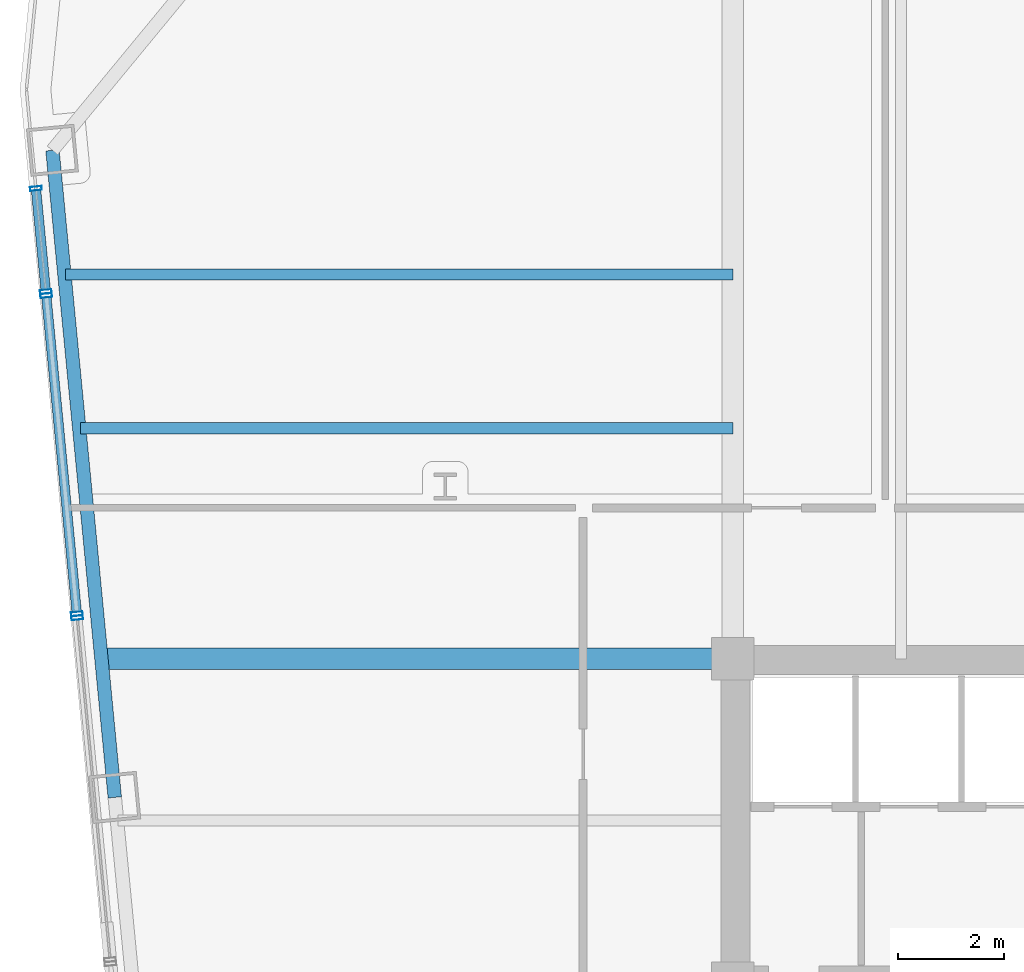
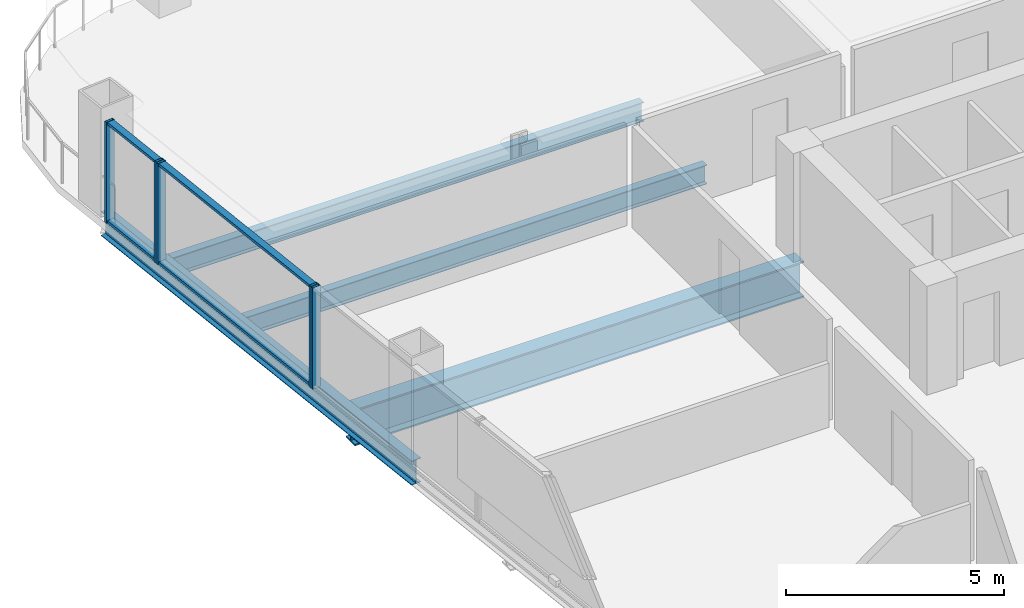
# One storey, part 15 of 28: 9 members, 4 beams, 3 elements without a shape of their own.
"""IFC4 building model written with IfcOpenShell, lengths in metres."""

import ifcopenshell
import ifcopenshell.guid

model = None  # the IFC model being written
_history = None  # IfcOwnerHistory: only IFC2X3 demands one
_inside = {}  # id of a spatial element -> (the spatial element, [elements in it])
_under = {}  # id of a project, library or spatial element -> (it, [spatial elements below it])
_declared = {}  # id of a project -> (the project, [libraries it declares])
_typed = {}  # id of a type object -> (the type object, [elements of that type])
_made_of = {}  # id of a material, layer set ... -> (it, [elements and type objects made of it])


def new_model(schema):
    """Start an empty IFC model of exactly this schema.

    Asked for "IFC4X3", IfcOpenShell would pick the latest addendum, in which some entities
    have other attributes; the version numbers below select the first issue.
    IFC2X3 requires an IfcOwnerHistory on every rooted entity: one is made here for all.
    """
    global model, _history
    if schema == "IFC4X3":
        model = ifcopenshell.file(schema_version=(4, 3, 0, 0))
    else:
        model = ifcopenshell.file(schema=schema)
    _inside.clear()
    _under.clear()
    _declared.clear()
    _typed.clear()
    _made_of.clear()
    _history = None
    if model.schema == "IFC2X3":
        org = make("IfcOrganization", Name="unknown")
        user = make(
            "IfcPersonAndOrganization",
            ThePerson=make("IfcPerson", FamilyName="unknown"),
            TheOrganization=org,
        )
        app = make(
            "IfcApplication",
            ApplicationDeveloper=org,
            Version="unknown",
            ApplicationFullName="unknown",
            ApplicationIdentifier="unknown",
        )
        _history = make(
            "IfcOwnerHistory",
            OwningUser=user,
            OwningApplication=app,
            ChangeAction="ADDED",
            CreationDate=0,
        )
    return model


def make(cls, **values):
    """One entity of the class cls with the attributes given. An attribute that is None is left unset."""
    return model.create_entity(
        cls, **{name: value for name, value in values.items() if value is not None}
    )


def rooted(cls, **values):
    """An entity with a GlobalId (a new one), such as an element, a storey or a relation."""
    return make(cls, GlobalId=ifcopenshell.guid.new(), OwnerHistory=_history, **values)


def si_unit(unit_type, name, prefix=None):
    """IfcSIUnit, for example si_unit("LENGTHUNIT", "METRE", prefix="MILLI")."""
    return make("IfcSIUnit", UnitType=unit_type, Prefix=prefix, Name=name)


def assignment(units):
    """IfcUnitAssignment: the units of a project."""
    return None if units is None else make("IfcUnitAssignment", Units=units)


def point(xyz):
    """IfcCartesianPoint."""
    return None if xyz is None else make("IfcCartesianPoint", Coordinates=xyz)


def direction(xyz):
    """IfcDirection."""
    return None if xyz is None else make("IfcDirection", DirectionRatios=xyz)


def frame(location, z_axis=None, x_axis=None):
    """IfcAxis2Placement3D, a coordinate frame: its origin and axes. An axis left out is left unset."""
    return make(
        "IfcAxis2Placement3D",
        Location=point(location),
        Axis=direction(z_axis),
        RefDirection=direction(x_axis),
    )


def frame_2d(location, x_axis=None):
    """IfcAxis2Placement2D, a coordinate frame in the plane: its origin and x axis."""
    return make(
        "IfcAxis2Placement2D", Location=point(location), RefDirection=direction(x_axis)
    )


def origin():
    """The frame at (0, 0, 0) with its axes left unset."""
    return frame((0.0, 0.0, 0.0))


def origin_2d():
    """The frame at (0, 0) in the plane with its x axis left unset."""
    return frame_2d((0.0, 0.0))


def place(relative_to, where):
    """IfcLocalPlacement: puts the frame where relative to a parent placement (None: the world)."""
    return make(
        "IfcLocalPlacement", PlacementRelTo=relative_to, RelativePlacement=where
    )


def context(
    kind, dimensions, precision=None, world=None, true_north=None, identifier=None
):
    """IfcGeometricRepresentationContext, for example the 3D "Model" context."""
    return make(
        "IfcGeometricRepresentationContext",
        ContextIdentifier=identifier,
        ContextType=kind,
        CoordinateSpaceDimension=dimensions,
        Precision=precision,
        WorldCoordinateSystem=world,
        TrueNorth=true_north,
    )


def subcontext(parent, identifier, kind, view, scale=None):
    """IfcGeometricRepresentationSubContext, for example "Body" below "Model"."""
    return make(
        "IfcGeometricRepresentationSubContext",
        ContextIdentifier=identifier,
        ContextType=kind,
        ParentContext=parent,
        TargetScale=scale,
        TargetView=view,
    )


def project(units=None, contexts=None):
    """IfcProject with its units and contexts."""
    return rooted(
        "IfcProject",
        Name="project",
        RepresentationContexts=contexts,
        UnitsInContext=assignment(units),
    )


def spatial(cls, under=None, at=None, **own):
    """A site, building, storey or space (cls), placed at a placement, below another one or the project."""
    s = rooted(cls, ObjectPlacement=at, **own)
    if under is not None:
        _under.setdefault(under.id(), (under, []))[1].append(s)
    return s


def profile(cls, at=None, kind="AREA", **sizes):
    """A parametric profile (cls). Its sizes go by their IFC names, for example OverallWidth=200.0."""
    return make(cls, ProfileType=kind, Position=at, **sizes)


def hollow_rectangle(**sizes):
    """IfcRectangleHollowProfileDef."""
    return profile("IfcRectangleHollowProfileDef", **sizes)


def i_section(**sizes):
    """IfcIShapeProfileDef."""
    return profile("IfcIShapeProfileDef", **sizes)


def extrude(swept, where, along, depth):
    """IfcExtrudedAreaSolid: the profile swept, set in the frame where, extruded along a direction by depth."""
    return make(
        "IfcExtrudedAreaSolid",
        SweptArea=swept,
        Position=where,
        ExtrudedDirection=direction(along),
        Depth=depth,
    )


def shape(context_of_items, identifier, shape_type, items):
    """IfcShapeRepresentation: the items that make up one representation, for example the "Body"."""
    return make(
        "IfcShapeRepresentation",
        ContextOfItems=context_of_items,
        RepresentationIdentifier=identifier,
        RepresentationType=shape_type,
        Items=items,
    )


def material(Name=None, Category=None):
    """IfcMaterial."""
    return make("IfcMaterial", Name=Name, Category=Category)


def layer(
    of_material, thickness, ventilated=None, Name=None, Category=None, Priority=None
):
    """IfcMaterialLayer: one layer of a wall or slab, of a material (None: an air gap)."""
    return make(
        "IfcMaterialLayer",
        Material=of_material,
        LayerThickness=thickness,
        IsVentilated=ventilated,
        Name=Name,
        Category=Category,
        Priority=Priority,
    )


def layer_set(layers, Name=None):
    """IfcMaterialLayerSet."""
    return make("IfcMaterialLayerSet", MaterialLayers=layers, LayerSetName=Name)


def material_profile(
    of_material, cross_section, Name=None, Category=None, Priority=None
):
    """IfcMaterialProfile: a cross section and its material."""
    return make(
        "IfcMaterialProfile",
        Name=Name,
        Material=of_material,
        Profile=cross_section,
        Priority=Priority,
        Category=Category,
    )


def profile_set(profiles, Name=None, composite=None):
    """IfcMaterialProfileSet."""
    return make(
        "IfcMaterialProfileSet",
        Name=Name,
        MaterialProfiles=profiles,
        CompositeProfile=composite,
    )


def made_of(thing, what):
    """Note that an element or type object is made of a material, layer set ...; save() writes the relation."""
    if what is not None:
        _made_of.setdefault(what.id(), (what, []))[1].append(thing)
    return thing


def type_object(cls, material=None, **own):
    """A type object (cls), such as IfcWallType, which elements share."""
    return made_of(rooted(cls, **own), material)


def element(
    cls,
    number,
    at=None,
    inside=None,
    cuts=None,
    type_object=None,
    material=None,
    context=None,
    identifier="Body",
    shape_type=None,
    held_by="IfcProductDefinitionShape",
    body=None,
    shapes=None,
    **own,
):
    """One element of the class cls, such as IfcWall. Its Tag is "e" and its number.

    at: its placement. inside: the storey or other place that contains it. cuts: it is an
    opening in that element (IfcRelVoidsElement). A single representation is given by context,
    identifier, shape_type and body (its items); several are given by shapes. held_by: the class
    of the entity that holds the representations. save() writes the other relations.
    """
    e = rooted(cls, Tag="e%d" % number, ObjectPlacement=at, **own)
    if body is not None:
        shapes = [shape(context, identifier, shape_type, body)]
    if shapes is not None:
        e.Representation = make(held_by, Representations=shapes)
    if inside is not None:
        _inside.setdefault(inside.id(), (inside, []))[1].append(e)
    if cuts is not None:
        rooted(
            "IfcRelVoidsElement", RelatingBuildingElement=cuts, RelatedOpeningElement=e
        )
    if type_object is not None:
        _typed.setdefault(type_object.id(), (type_object, []))[1].append(e)
    return made_of(e, material)


def aggregate(whole, parts):
    """IfcRelAggregates: a whole, such as a stair, and the parts it consists of."""
    return rooted("IfcRelAggregates", RelatingObject=whole, RelatedObjects=parts)


def save(model, path):
    """Write the relations noted so far, then the file.

    IfcRelAggregates (storeys below a building ...), IfcRelContainedInSpatialStructure (elements
    in a storey), IfcRelDefinesByType, IfcRelAssociatesMaterial and IfcRelDeclares: one each for
    every whole, place, type object, material and project.
    """
    for whole, parts in _under.values():
        aggregate(whole, parts)
    for where, things in _inside.values():
        rooted(
            "IfcRelContainedInSpatialStructure",
            RelatedElements=things,
            RelatingStructure=where,
        )
    for kind, things in _typed.values():
        rooted("IfcRelDefinesByType", RelatedObjects=things, RelatingType=kind)
    for what, things in _made_of.values():
        rooted("IfcRelAssociatesMaterial", RelatedObjects=things, RelatingMaterial=what)
    for by, libraries in _declared.values():
        rooted("IfcRelDeclares", RelatingContext=by, RelatedDefinitions=libraries)
    model.write(path)


model = new_model("IFC4")

# Units and contexts
model_context = context("Model", 3, precision=1e-05, world=origin(), true_north=direction((0.0, 1.0)))
body_context = subcontext(model_context, "Body", "Model", "MODEL_VIEW")
ifc_project = project(units=[si_unit("LENGTHUNIT", "METRE"), si_unit("AREAUNIT", "SQUARE_METRE"), si_unit("VOLUMEUNIT", "CUBIC_METRE"), si_unit("PLANEANGLEUNIT", "RADIAN"), si_unit("MASSUNIT", "GRAM", prefix="KILO")], contexts=[model_context])

# Site, building, storey
site_placement = place(None, origin())
site = spatial("IfcSite", under=ifc_project, at=site_placement, CompositionType="ELEMENT")
building_placement = place(site_placement, origin())
building = spatial("IfcBuilding", under=site, at=building_placement, Name="Qhalaya Broadcast Tower", CompositionType="ELEMENT")
storey_placement = place(building_placement, frame((0.0, 0.0, 90.800048828125)))
storey = spatial("IfcBuildingStorey", under=building, at=storey_placement, Name="L26", CompositionType="ELEMENT", Elevation=90.800048828125)

# Beams
ifc_material_1 = material(Name="Structural Steel ASTM A992 Grade 50", Category="steel")
ifc_material_profile_1 = material_profile(ifc_material_1, i_section(OverallWidth=0.2099609375, OverallDepth=0.535888671875, WebThickness=0.010986328125, FlangeThickness=0.017333984375, at=origin_2d()), Name="W21X68")
ifc_profile_set_1 = profile_set([ifc_material_profile_1], Name="Structural Steel ASTM A992 Grade 50")
beam_type_1 = type_object("IfcBeamType", Name="Composite Floor Joist J02", PredefinedType="JOIST", material=ifc_profile_set_1)
beam_1_placement = place(storey_placement, frame((-21.6875, 14.300048828125, -0.488037109375), z_axis=(1.0, 0.0, 0.0), x_axis=(0.0, 1.0, 0.0)))
element("IfcBeam", 1, at=beam_1_placement, inside=storey, type_object=beam_type_1, Name="L26 J02 L26-JWE6W-1", PredefinedType="JOIST", context=body_context, shape_type="SweptSolid", body=[
    extrude(i_section(OverallWidth=0.2099609375, OverallDepth=0.535888671875, WebThickness=0.010986328125, FlangeThickness=0.017333984375, at=origin_2d()), origin(), (0.0, 0.0, 1.0), 12.3125),
])
beam_2_placement = place(storey_placement, frame((-21.966796875, 17.199951171875, -0.488037109375), z_axis=(1.0, 0.0, 0.0), x_axis=(0.0, 1.0, 0.0)))
element("IfcBeam", 2, at=beam_2_placement, inside=storey, type_object=beam_type_1, Name="L26 J02 L26-JWE7W-1", PredefinedType="JOIST", context=body_context, shape_type="SweptSolid", body=[
    extrude(i_section(OverallWidth=0.2099609375, OverallDepth=0.535888671875, WebThickness=0.010986328125, FlangeThickness=0.017333984375, at=origin_2d()), origin(), (0.0, 0.0, 1.0), 12.591796875),
])
ifc_material_profile_2 = material_profile(ifc_material_1, i_section(OverallWidth=0.40087890625, OverallDepth=1.010986328125, WebThickness=0.023681640625, FlangeThickness=0.0419921875, at=origin_2d()), Name="W40X297")
ifc_profile_set_2 = profile_set([ifc_material_profile_2], Name="Structural Steel ASTM A992 Grade 50")
beam_type_2 = type_object("IfcBeamType", Name="Lower Block Primary Girder PG2", PredefinedType="USERDEFINED", material=ifc_profile_set_2)
beam_3_placement = place(storey_placement, frame((-21.2685546875, 9.949951171875, -0.7255859375), z_axis=(1.0, 0.0, 0.0), x_axis=(0.0, 1.0, 0.0)))
element("IfcBeam", 3, at=beam_3_placement, inside=storey, type_object=beam_type_2, Name="L26 PG2 L26-PGYW4-1", ObjectType="GIRDER", PredefinedType="USERDEFINED", context=body_context, shape_type="SweptSolid", body=[
    extrude(i_section(OverallWidth=0.40087890625, OverallDepth=1.010986328125, WebThickness=0.023681640625, FlangeThickness=0.0419921875, at=origin_2d()), origin(), (0.0, 0.0, 1.0), 11.8935546875),
])
ifc_material_profile_3 = material_profile(ifc_material_1, i_section(OverallWidth=0.25390625, OverallDepth=0.68310546875, WebThickness=0.012451171875, FlangeThickness=0.01904296875, at=origin_2d()), Name="W27X94")
ifc_profile_set_3 = profile_set([ifc_material_profile_3], Name="Structural Steel ASTM A992 Grade 50")
beam_type_3 = type_object("IfcBeamType", Name="Perimeter Ring Spandrel Beam SP1", PredefinedType="SPANDREL", material=ifc_profile_set_3)
beam_4_placement = place(storey_placement, frame((-22.212646484375, 19.54541015625, -0.5615234375), z_axis=(0.095851586307, -0.99539563662, 0.0), x_axis=(0.99539563662, 0.095851586307, 0.0)))
element("IfcBeam", 4, at=beam_4_placement, inside=storey, type_object=beam_type_3, Name="L26 SP1 L26-SPR-13", PredefinedType="SPANDREL", context=body_context, shape_type="SweptSolid", body=[
    extrude(i_section(OverallWidth=0.25390625, OverallDepth=0.68310546875, WebThickness=0.012451171875, FlangeThickness=0.01904296875, at=origin_2d()), origin(), (0.0, 0.0, 1.0), 12.2666015625),
])

# Curtain wall, members
ifc_material_2 = material(Name="Solar-Control Low-E Triple Glazing", Category="glass")
ifc_layer_1 = layer(ifc_material_2, 0.219970703125, Name="Solar-Control Low-E Triple Glazing")
ifc_layer_set_1 = layer_set([ifc_layer_1], Name="Solar-Control Low-E Triple Glazing")
curtain_wall_type_1 = type_object("IfcCurtainWallType", Name="Even-Block 4-Storey Double-Module Curtain Wall CW-03", PredefinedType="NOTDEFINED", material=ifc_layer_set_1)
curtain_wall_1_placement = place(storey_placement, origin())
curtain_wall_1 = element("IfcCurtainWall", 5, at=curtain_wall_1_placement, inside=storey, type_object=curtain_wall_type_1, Name="L26 Unitised Curtain Wall L26-CW-W1", PredefinedType="NOTDEFINED")
ifc_material_3 = material(Name="Anodised Aluminium 6063-T6", Category="aluminium")
ifc_material_profile_4 = material_profile(ifc_material_3, hollow_rectangle(XDim=0.074951171875, YDim=0.219970703125, WallThickness=0.00390625, at=origin_2d()), Name="ALU-MUL 75x220x4")
ifc_profile_set_4 = profile_set([ifc_material_profile_4], Name="Anodised Aluminium 6063-T6")
member_type_1 = type_object("IfcMemberType", Name="Unitised Curtain-Wall Mullion M01", PredefinedType="MULLION", material=ifc_profile_set_4)
member_1_placement = place(storey_placement, frame((-22.52490234375, 18.82470703125, 0.0), z_axis=(0.0, 0.0, 1.0), x_axis=(0.095857964978, -0.995395022366, 0.0)))
member_1 = element("IfcMember", 6, at=member_1_placement, type_object=member_type_1, Name="CW-03 mullion 1", PredefinedType="MULLION", context=body_context, shape_type="SweptSolid", body=[
    extrude(hollow_rectangle(XDim=0.074951171875, YDim=0.219970703125, WallThickness=0.00390625, at=origin_2d()), origin(), (0.0, 0.0, 1.0), 2.829833984375),
])
member_2_placement = place(storey_placement, frame((-22.337646484375, 16.879638671875, 0.0), z_axis=(0.0, 0.0, 1.0), x_axis=(0.095857964978, -0.995395022366, 0.0)))
member_2 = element("IfcMember", 7, at=member_2_placement, type_object=member_type_1, Name="CW-03 mullion 2", PredefinedType="MULLION", context=body_context, shape_type="SweptSolid", body=[
    extrude(hollow_rectangle(XDim=0.074951171875, YDim=0.219970703125, WallThickness=0.00390625, at=origin_2d()), origin(), (0.0, 0.0, 1.0), 2.829833984375),
])

ifc_material_4 = material(Name="Fired Architectural Terracotta", Category="masonry")
ifc_layer_2 = layer(ifc_material_4, 0.219970703125, Name="Fired Architectural Terracotta")
ifc_layer_set_2 = layer_set([ifc_layer_2], Name="Fired Architectural Terracotta")
curtain_wall_type_2 = type_object("IfcCurtainWallType", Name="Block-Cap Unitised Terracotta Spandrel Wall CW-07", PredefinedType="NOTDEFINED", material=ifc_layer_set_2)
curtain_wall_2_placement = place(storey_placement, origin())
curtain_wall_2 = element("IfcCurtainWall", 8, at=curtain_wall_2_placement, inside=storey, type_object=curtain_wall_type_2, Name="L26 Unitised Curtain Wall L26-CW-W2", PredefinedType="NOTDEFINED")
member_3_placement = place(storey_placement, frame((-22.33056640625, 16.804931640625, 0.0), z_axis=(0.0, 0.0, 1.0), x_axis=(0.095843409779, -0.995396423945, 0.0)))
member_3 = element("IfcMember", 9, at=member_3_placement, type_object=member_type_1, Name="CW-07 mullion 1", PredefinedType="MULLION", context=body_context, shape_type="SweptSolid", body=[
    extrude(hollow_rectangle(XDim=0.074951171875, YDim=0.219970703125, WallThickness=0.00390625, at=origin_2d()), origin(), (0.0, 0.0, 1.0), 2.829833984375),
])
member_4_placement = place(storey_placement, frame((-21.752197265625, 10.798828125, 0.0), z_axis=(0.0, 0.0, 1.0), x_axis=(0.095843409779, -0.995396423945, 0.0)))
member_4 = element("IfcMember", 10, at=member_4_placement, type_object=member_type_1, Name="CW-07 mullion 2", PredefinedType="MULLION", context=body_context, shape_type="SweptSolid", body=[
    extrude(hollow_rectangle(XDim=0.074951171875, YDim=0.219970703125, WallThickness=0.00390625, at=origin_2d()), origin(), (0.0, 0.0, 1.0), 2.829833984375),
])

# Curtain wall, member
curtain_wall_3_placement = place(storey_placement, origin())
curtain_wall_3 = element("IfcCurtainWall", 11, at=curtain_wall_3_placement, inside=storey, type_object=curtain_wall_type_1, Name="L26 Unitised Curtain Wall L26-CW-W3", PredefinedType="NOTDEFINED")
member_5_placement = place(storey_placement, frame((-21.7451171875, 10.72412109375, 0.0), z_axis=(0.0, 0.0, 1.0), x_axis=(0.095852453314, -0.995395553131, 0.0)))
member_5 = element("IfcMember", 12, at=member_5_placement, type_object=member_type_1, Name="CW-03 mullion 1", PredefinedType="MULLION", context=body_context, shape_type="SweptSolid", body=[
    extrude(hollow_rectangle(XDim=0.074951171875, YDim=0.219970703125, WallThickness=0.00390625, at=origin_2d()), origin(), (0.0, 0.0, 1.0), 2.829833984375),
])
aggregate(curtain_wall_3, [member_5])

# Member
ifc_material_profile_5 = material_profile(ifc_material_3, hollow_rectangle(XDim=0.074951171875, YDim=0.179931640625, WallThickness=0.00390625, at=origin_2d()), Name="ALU-TRN 75x180x4")
ifc_profile_set_5 = profile_set([ifc_material_profile_5], Name="Anodised Aluminium 6063-T6")
member_type_2 = type_object("IfcMemberType", Name="Unitised Curtain-Wall Transom T01", PredefinedType="USERDEFINED", material=ifc_profile_set_5)
member_6_placement = place(storey_placement, frame((-22.521484375, 18.787353515625, 0.037353515625), z_axis=(0.095888184111, -0.995392111757, 0.0), x_axis=(0.0, 0.0, 1.0)))
member_6 = element("IfcMember", 13, at=member_6_placement, type_object=member_type_2, Name="CW-03 transom 1.1", ObjectType="TRANSOM", PredefinedType="USERDEFINED", context=body_context, shape_type="SweptSolid", body=[
    extrude(hollow_rectangle(XDim=0.074951171875, YDim=0.179931640625, WallThickness=0.00390625, at=origin_2d()), origin(), (0.0, 0.0, 1.0), 1.87890625),
])

member_7_placement = place(storey_placement, frame((-22.521484375, 18.787353515625, 2.79248046875), z_axis=(0.095888184111, -0.995392111757, 0.0), x_axis=(0.0, 0.0, 1.0)))
member_7 = element("IfcMember", 14, at=member_7_placement, type_object=member_type_2, Name="CW-03 transom 1.2", ObjectType="TRANSOM", PredefinedType="USERDEFINED", context=body_context, shape_type="SweptSolid", body=[
    extrude(hollow_rectangle(XDim=0.074951171875, YDim=0.179931640625, WallThickness=0.00390625, at=origin_2d()), origin(), (0.0, 0.0, 1.0), 1.87890625),
])

aggregate(curtain_wall_1, [member_1, member_2, member_6, member_7])

member_8_placement = place(storey_placement, frame((-22.326904296875, 16.767578125, 0.037353515625), z_axis=(0.095831851759, -0.99539753676, 0.0), x_axis=(0.0, 0.0, 1.0)))
member_8 = element("IfcMember", 15, at=member_8_placement, type_object=member_type_2, Name="CW-07 transom 1.1", ObjectType="TRANSOM", PredefinedType="USERDEFINED", context=body_context, shape_type="SweptSolid", body=[
    extrude(hollow_rectangle(XDim=0.074951171875, YDim=0.179931640625, WallThickness=0.00390625, at=origin_2d()), origin(), (0.0, 0.0, 1.0), 5.958740234375),
])

member_9_placement = place(storey_placement, frame((-22.326904296875, 16.767578125, 2.79248046875), z_axis=(0.095831851759, -0.99539753676, 0.0), x_axis=(0.0, 0.0, 1.0)))
member_9 = element("IfcMember", 16, at=member_9_placement, type_object=member_type_2, Name="CW-07 transom 1.2", ObjectType="TRANSOM", PredefinedType="USERDEFINED", context=body_context, shape_type="SweptSolid", body=[
    extrude(hollow_rectangle(XDim=0.074951171875, YDim=0.179931640625, WallThickness=0.00390625, at=origin_2d()), origin(), (0.0, 0.0, 1.0), 5.958740234375),
])

aggregate(curtain_wall_2, [member_3, member_4, member_8, member_9])

save(model, "model.ifc")
